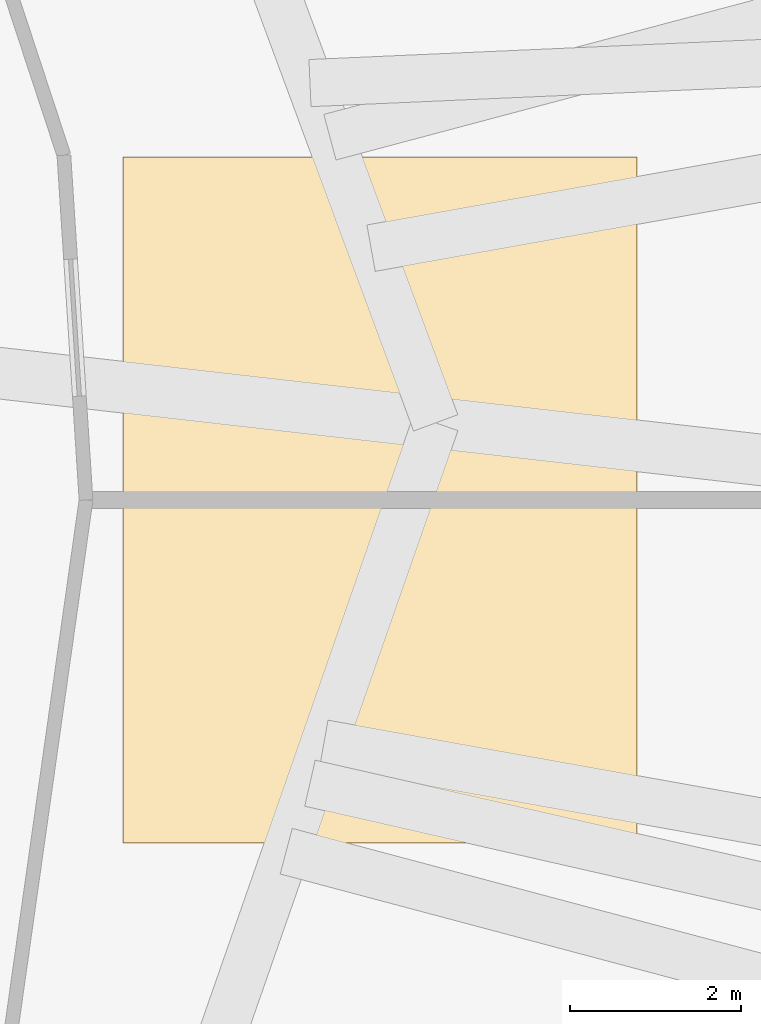
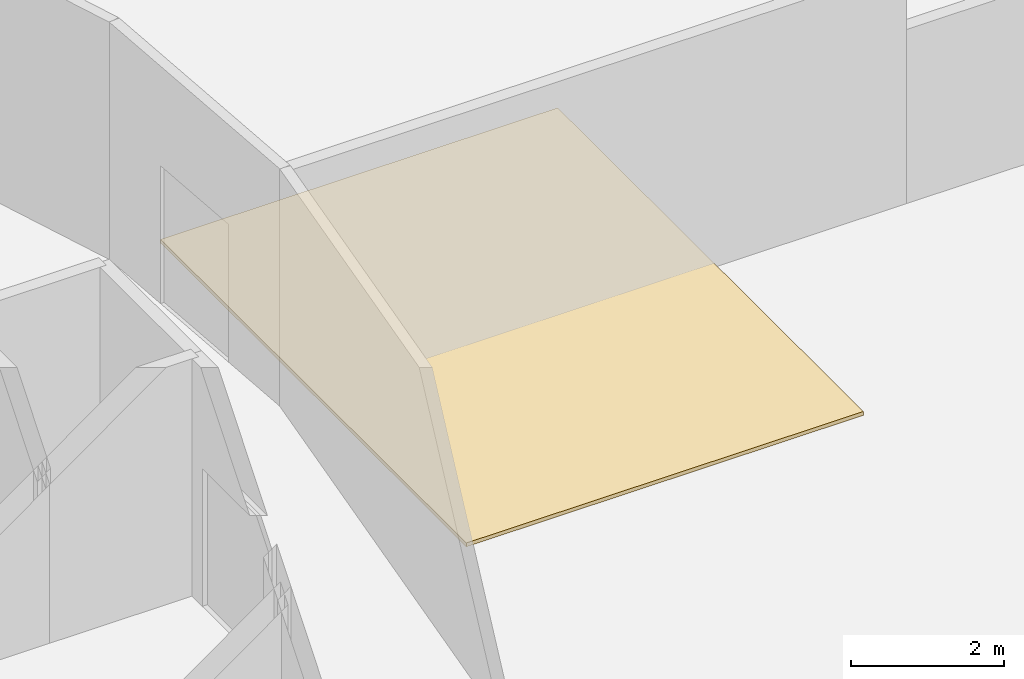
# One storey, part 37 of 37: 1 covering.
"""IFC4 building model written with IfcOpenShell, lengths in metres."""

import ifcopenshell
import ifcopenshell.guid

model = None  # the IFC model being written
_history = None  # IfcOwnerHistory: only IFC2X3 demands one
_inside = {}  # id of a spatial element -> (the spatial element, [elements in it])
_under = {}  # id of a project, library or spatial element -> (it, [spatial elements below it])
_declared = {}  # id of a project -> (the project, [libraries it declares])
_typed = {}  # id of a type object -> (the type object, [elements of that type])
_made_of = {}  # id of a material, layer set ... -> (it, [elements and type objects made of it])


def new_model(schema):
    """Start an empty IFC model of exactly this schema.

    Asked for "IFC4X3", IfcOpenShell would pick the latest addendum, in which some entities
    have other attributes; the version numbers below select the first issue.
    IFC2X3 requires an IfcOwnerHistory on every rooted entity: one is made here for all.
    """
    global model, _history
    if schema == "IFC4X3":
        model = ifcopenshell.file(schema_version=(4, 3, 0, 0))
    else:
        model = ifcopenshell.file(schema=schema)
    _inside.clear()
    _under.clear()
    _declared.clear()
    _typed.clear()
    _made_of.clear()
    _history = None
    if model.schema == "IFC2X3":
        org = make("IfcOrganization", Name="unknown")
        user = make(
            "IfcPersonAndOrganization",
            ThePerson=make("IfcPerson", FamilyName="unknown"),
            TheOrganization=org,
        )
        app = make(
            "IfcApplication",
            ApplicationDeveloper=org,
            Version="unknown",
            ApplicationFullName="unknown",
            ApplicationIdentifier="unknown",
        )
        _history = make(
            "IfcOwnerHistory",
            OwningUser=user,
            OwningApplication=app,
            ChangeAction="ADDED",
            CreationDate=0,
        )
    return model


def make(cls, **values):
    """One entity of the class cls with the attributes given. An attribute that is None is left unset."""
    return model.create_entity(
        cls, **{name: value for name, value in values.items() if value is not None}
    )


def rooted(cls, **values):
    """An entity with a GlobalId (a new one), such as an element, a storey or a relation."""
    return make(cls, GlobalId=ifcopenshell.guid.new(), OwnerHistory=_history, **values)


def si_unit(unit_type, name, prefix=None):
    """IfcSIUnit, for example si_unit("LENGTHUNIT", "METRE", prefix="MILLI")."""
    return make("IfcSIUnit", UnitType=unit_type, Prefix=prefix, Name=name)


def assignment(units):
    """IfcUnitAssignment: the units of a project."""
    return None if units is None else make("IfcUnitAssignment", Units=units)


def point(xyz):
    """IfcCartesianPoint."""
    return None if xyz is None else make("IfcCartesianPoint", Coordinates=xyz)


def direction(xyz):
    """IfcDirection."""
    return None if xyz is None else make("IfcDirection", DirectionRatios=xyz)


def frame(location, z_axis=None, x_axis=None):
    """IfcAxis2Placement3D, a coordinate frame: its origin and axes. An axis left out is left unset."""
    return make(
        "IfcAxis2Placement3D",
        Location=point(location),
        Axis=direction(z_axis),
        RefDirection=direction(x_axis),
    )


def origin():
    """The frame at (0, 0, 0) with its axes left unset."""
    return frame((0.0, 0.0, 0.0))


def place(relative_to, where):
    """IfcLocalPlacement: puts the frame where relative to a parent placement (None: the world)."""
    return make(
        "IfcLocalPlacement", PlacementRelTo=relative_to, RelativePlacement=where
    )


def context(
    kind, dimensions, precision=None, world=None, true_north=None, identifier=None
):
    """IfcGeometricRepresentationContext, for example the 3D "Model" context."""
    return make(
        "IfcGeometricRepresentationContext",
        ContextIdentifier=identifier,
        ContextType=kind,
        CoordinateSpaceDimension=dimensions,
        Precision=precision,
        WorldCoordinateSystem=world,
        TrueNorth=true_north,
    )


def subcontext(parent, identifier, kind, view, scale=None):
    """IfcGeometricRepresentationSubContext, for example "Body" below "Model"."""
    return make(
        "IfcGeometricRepresentationSubContext",
        ContextIdentifier=identifier,
        ContextType=kind,
        ParentContext=parent,
        TargetScale=scale,
        TargetView=view,
    )


def project(units=None, contexts=None):
    """IfcProject with its units and contexts."""
    return rooted(
        "IfcProject",
        Name="project",
        RepresentationContexts=contexts,
        UnitsInContext=assignment(units),
    )


def spatial(cls, under=None, at=None, **own):
    """A site, building, storey or space (cls), placed at a placement, below another one or the project."""
    s = rooted(cls, ObjectPlacement=at, **own)
    if under is not None:
        _under.setdefault(under.id(), (under, []))[1].append(s)
    return s


def polyline(points):
    """IfcPolyline through the points."""
    return make("IfcPolyline", Points=[point(p) for p in points])


def outline(outer, holes=None, kind="AREA"):
    """IfcArbitraryClosedProfileDef: a profile drawn as a closed curve; with holes, ...WithVoids."""
    if holes is None:
        return make("IfcArbitraryClosedProfileDef", ProfileType=kind, OuterCurve=outer)
    return make(
        "IfcArbitraryProfileDefWithVoids",
        ProfileType=kind,
        OuterCurve=outer,
        InnerCurves=holes,
    )


def extrude(swept, where, along, depth):
    """IfcExtrudedAreaSolid: the profile swept, set in the frame where, extruded along a direction by depth."""
    return make(
        "IfcExtrudedAreaSolid",
        SweptArea=swept,
        Position=where,
        ExtrudedDirection=direction(along),
        Depth=depth,
    )


def shape(context_of_items, identifier, shape_type, items):
    """IfcShapeRepresentation: the items that make up one representation, for example the "Body"."""
    return make(
        "IfcShapeRepresentation",
        ContextOfItems=context_of_items,
        RepresentationIdentifier=identifier,
        RepresentationType=shape_type,
        Items=items,
    )


def material(Name=None, Category=None):
    """IfcMaterial."""
    return make("IfcMaterial", Name=Name, Category=Category)


def layer(
    of_material, thickness, ventilated=None, Name=None, Category=None, Priority=None
):
    """IfcMaterialLayer: one layer of a wall or slab, of a material (None: an air gap)."""
    return make(
        "IfcMaterialLayer",
        Material=of_material,
        LayerThickness=thickness,
        IsVentilated=ventilated,
        Name=Name,
        Category=Category,
        Priority=Priority,
    )


def layer_set(layers, Name=None):
    """IfcMaterialLayerSet."""
    return make("IfcMaterialLayerSet", MaterialLayers=layers, LayerSetName=Name)


def made_of(thing, what):
    """Note that an element or type object is made of a material, layer set ...; save() writes the relation."""
    if what is not None:
        _made_of.setdefault(what.id(), (what, []))[1].append(thing)
    return thing


def type_object(cls, material=None, **own):
    """A type object (cls), such as IfcWallType, which elements share."""
    return made_of(rooted(cls, **own), material)


def element(
    cls,
    number,
    at=None,
    inside=None,
    cuts=None,
    type_object=None,
    material=None,
    context=None,
    identifier="Body",
    shape_type=None,
    held_by="IfcProductDefinitionShape",
    body=None,
    shapes=None,
    **own,
):
    """One element of the class cls, such as IfcWall. Its Tag is "e" and its number.

    at: its placement. inside: the storey or other place that contains it. cuts: it is an
    opening in that element (IfcRelVoidsElement). A single representation is given by context,
    identifier, shape_type and body (its items); several are given by shapes. held_by: the class
    of the entity that holds the representations. save() writes the other relations.
    """
    e = rooted(cls, Tag="e%d" % number, ObjectPlacement=at, **own)
    if body is not None:
        shapes = [shape(context, identifier, shape_type, body)]
    if shapes is not None:
        e.Representation = make(held_by, Representations=shapes)
    if inside is not None:
        _inside.setdefault(inside.id(), (inside, []))[1].append(e)
    if cuts is not None:
        rooted(
            "IfcRelVoidsElement", RelatingBuildingElement=cuts, RelatedOpeningElement=e
        )
    if type_object is not None:
        _typed.setdefault(type_object.id(), (type_object, []))[1].append(e)
    return made_of(e, material)


def aggregate(whole, parts):
    """IfcRelAggregates: a whole, such as a stair, and the parts it consists of."""
    return rooted("IfcRelAggregates", RelatingObject=whole, RelatedObjects=parts)


def save(model, path):
    """Write the relations noted so far, then the file.

    IfcRelAggregates (storeys below a building ...), IfcRelContainedInSpatialStructure (elements
    in a storey), IfcRelDefinesByType, IfcRelAssociatesMaterial and IfcRelDeclares: one each for
    every whole, place, type object, material and project.
    """
    for whole, parts in _under.values():
        aggregate(whole, parts)
    for where, things in _inside.values():
        rooted(
            "IfcRelContainedInSpatialStructure",
            RelatedElements=things,
            RelatingStructure=where,
        )
    for kind, things in _typed.values():
        rooted("IfcRelDefinesByType", RelatedObjects=things, RelatingType=kind)
    for what, things in _made_of.values():
        rooted("IfcRelAssociatesMaterial", RelatedObjects=things, RelatingMaterial=what)
    for by, libraries in _declared.values():
        rooted("IfcRelDeclares", RelatingContext=by, RelatedDefinitions=libraries)
    model.write(path)


model = new_model("IFC4")

# Units and contexts
model_context = context("Model", 3, precision=1e-05, world=origin(), true_north=direction((0.0, 1.0)))
body_context = subcontext(model_context, "Body", "Model", "MODEL_VIEW")
ifc_project = project(units=[si_unit("LENGTHUNIT", "METRE"), si_unit("AREAUNIT", "SQUARE_METRE"), si_unit("VOLUMEUNIT", "CUBIC_METRE"), si_unit("PLANEANGLEUNIT", "RADIAN"), si_unit("MASSUNIT", "GRAM", prefix="KILO")], contexts=[model_context])

# Site, building, storey
site_placement = place(None, origin())
site = spatial("IfcSite", under=ifc_project, at=site_placement, CompositionType="ELEMENT")
building_placement = place(site_placement, origin())
building = spatial("IfcBuilding", under=site, at=building_placement, Name="Nuhasar Tower", CompositionType="ELEMENT")
storey_placement = place(building_placement, frame((0.0, 0.0, 21.0)))
storey = spatial("IfcBuildingStorey", under=building, at=storey_placement, Name="L04", CompositionType="ELEMENT", Elevation=21.0)

# Covering
ifc_material = material(Name="Calcium Sulphate Tile", Category="gypsum")
ifc_layer = layer(ifc_material, 0.06005859375)
ifc_layer_set = layer_set([ifc_layer], Name="Calcium Sulphate Tile")
covering_type = type_object("IfcCoveringType", Name="COV-FLR-RAF120", PredefinedType="FLOORING", material=ifc_layer_set)
covering_placement = place(storey_placement, origin())
element("IfcCovering", 1, at=covering_placement, inside=storey, type_object=covering_type, Name="L04 Raised Access Floor Zone", PredefinedType="FLOORING", context=body_context, shape_type="SweptSolid", body=[
    extrude(outline(polyline([(52.5, 22.800048828125), (58.5, 22.800048828125), (58.5, 30.800048828125), (52.5, 30.800048828125), (52.5, 22.800048828125)])), origin(), (0.0, 0.0, 1.0), 0.06005859375),
])

save(model, "model.ifc")
